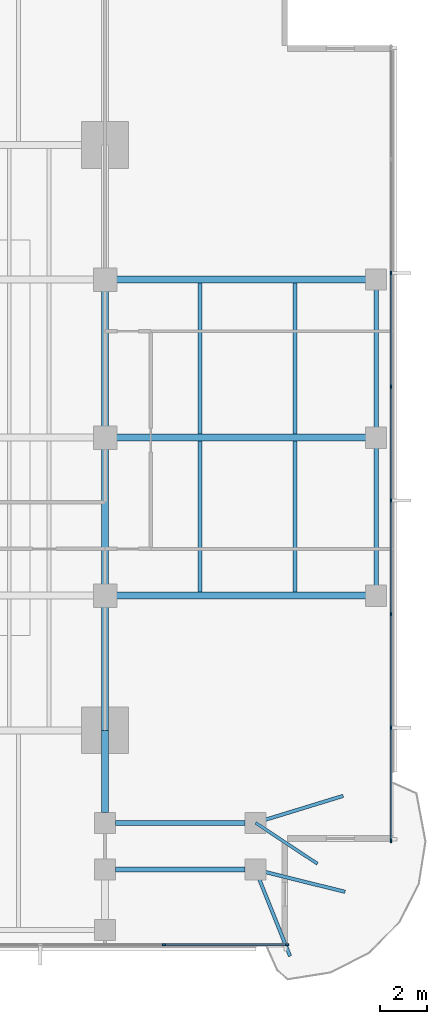
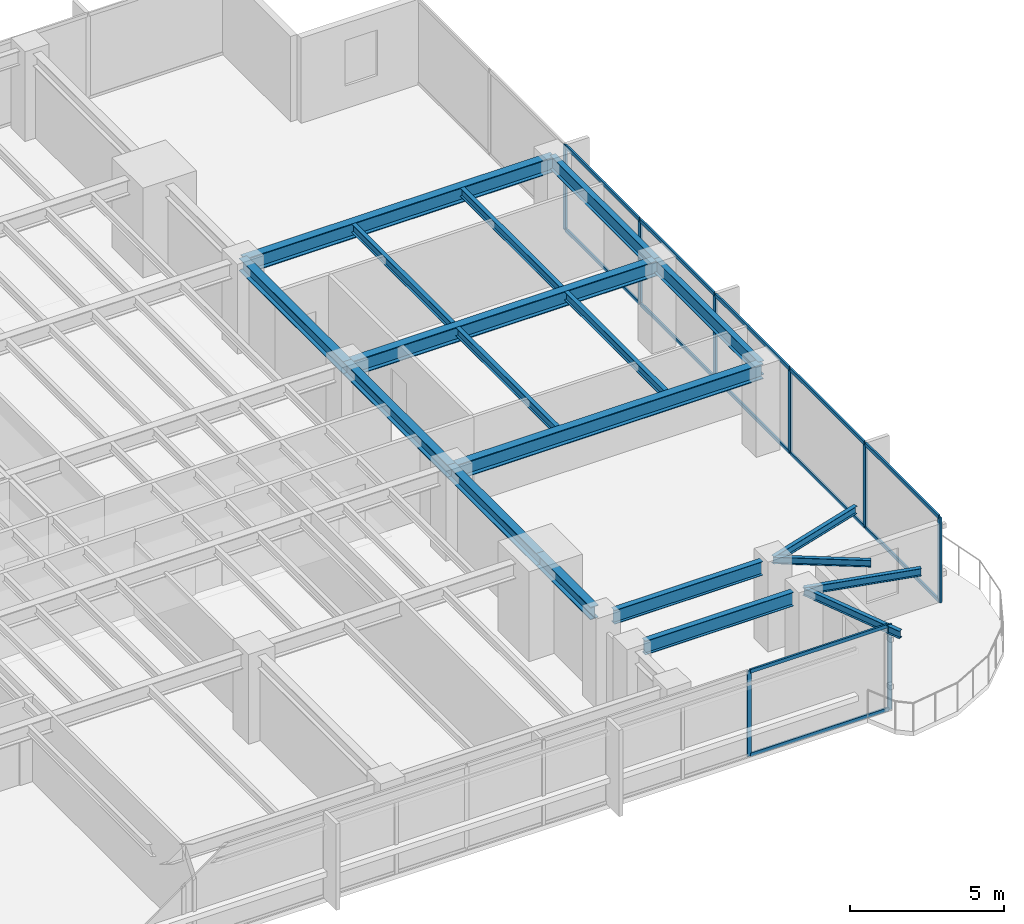
# One storey, part 4 of 15: 20 members, 19 beams, 2 elements without a shape of their own.
"""IFC4 building model written with IfcOpenShell, lengths in metres."""

from ifc_helpers import new_model, si_unit, direction, frame, origin, origin_2d, place, context, subcontext, project, spatial, rectangle, i_section, extrude, material, layer, layer_set, material_profile, profile_set, type_object, element, aggregate, save


model = new_model("IFC4")

# Units and contexts
model_context = context("Model", 3, precision=1e-05, world=origin(), true_north=direction((0.0, 1.0)))
body_context = subcontext(model_context, "Body", "Model", "MODEL_VIEW")
ifc_project = project(units=[si_unit("LENGTHUNIT", "METRE"), si_unit("AREAUNIT", "SQUARE_METRE"), si_unit("VOLUMEUNIT", "CUBIC_METRE"), si_unit("PLANEANGLEUNIT", "RADIAN"), si_unit("MASSUNIT", "GRAM", prefix="KILO")], contexts=[model_context])

# Site, building, storey
site_placement = place(None, origin())
site = spatial("IfcSite", under=ifc_project, at=site_placement, CompositionType="ELEMENT")
building_placement = place(site_placement, origin())
building = spatial("IfcBuilding", under=site, at=building_placement, Name="Kinhvarn Gate Tower", CompositionType="ELEMENT")
storey_placement = place(building_placement, frame((0.0, 0.0, 112.89990234375)))
storey = spatial("IfcBuildingStorey", under=building, at=storey_placement, Name="L29", CompositionType="ELEMENT", Elevation=112.89990234375)

# Curtain wall, members
ifc_material_1 = material(Name="Anodised aluminium AW-6063", Category="aluminium")
ifc_layer = layer(ifc_material_1, 0.179931640625)
ifc_layer_set = layer_set([ifc_layer], Name="Anodised aluminium AW-6063")
curtain_wall_type = type_object("IfcCurtainWallType", Name="CW-SYS-3", PredefinedType="NOTDEFINED", material=ifc_layer_set)
curtain_wall_1_placement = place(storey_placement, origin())
curtain_wall_1 = element("IfcCurtainWall", 1, at=curtain_wall_1_placement, inside=storey, type_object=curtain_wall_type, Name="Curtain Wall CW3 (L29)", PredefinedType="NOTDEFINED")
ifc_material_profile_1 = material_profile(ifc_material_1, rectangle(XDim=0.06494140625, YDim=0.159912109375, at=origin_2d()), Name="ALU 65x160")
ifc_profile_set_1 = profile_set([ifc_material_profile_1], Name="Anodised aluminium AW-6063")
member_type_1 = type_object("IfcMemberType", Name="CW-MUL-160", PredefinedType="MULLION", material=ifc_profile_set_1)
member_1_placement = place(storey_placement, frame((40.71435546875, 3.590087890625, 0.0), z_axis=(0.0, 0.0, 1.0), x_axis=(0.0, 1.0, 0.0)))
member_1 = element("IfcMember", 2, at=member_1_placement, type_object=member_type_1, Name="CW3 mullion 7", PredefinedType="MULLION", context=body_context, shape_type="SweptSolid", body=[
    extrude(rectangle(XDim=0.06494140625, YDim=0.159912109375, at=origin_2d()), origin(), (0.0, 0.0, 1.0), 3.3701171875),
])
member_2_placement = place(storey_placement, frame((45.967529296875, 3.590087890625, 0.0), z_axis=(0.0, 0.0, 1.0), x_axis=(0.0, 1.0, 0.0)))
member_2 = element("IfcMember", 3, at=member_2_placement, type_object=member_type_1, Name="CW3 mullion 8", PredefinedType="MULLION", context=body_context, shape_type="SweptSolid", body=[
    extrude(rectangle(XDim=0.06494140625, YDim=0.159912109375, at=origin_2d()), origin(), (0.0, 0.0, 1.0), 3.3701171875),
])

curtain_wall_2_placement = place(storey_placement, origin())
curtain_wall_2 = element("IfcCurtainWall", 4, at=curtain_wall_2_placement, inside=storey, type_object=curtain_wall_type, Name="Curtain Wall CW3 (L29)", PredefinedType="NOTDEFINED")
member_3_placement = place(storey_placement, frame((50.409912109375, 8.032470703125, 0.0), z_axis=(0.0, 0.0, 1.0), x_axis=(-1.0, 0.0, 0.0)))
member_3 = element("IfcMember", 5, at=member_3_placement, type_object=member_type_1, Name="CW3 mullion 1", PredefinedType="MULLION", context=body_context, shape_type="SweptSolid", body=[
    extrude(rectangle(XDim=0.06494140625, YDim=0.159912109375, at=origin_2d()), origin(), (0.0, 0.0, 1.0), 3.3701171875),
])
member_4_placement = place(storey_placement, frame((50.409912109375, 12.857177734375, 0.0), z_axis=(0.0, 0.0, 1.0), x_axis=(-1.0, 0.0, 0.0)))
member_4 = element("IfcMember", 6, at=member_4_placement, type_object=member_type_1, Name="CW3 mullion 2", PredefinedType="MULLION", context=body_context, shape_type="SweptSolid", body=[
    extrude(rectangle(XDim=0.06494140625, YDim=0.159912109375, at=origin_2d()), origin(), (0.0, 0.0, 1.0), 3.3701171875),
])
member_5_placement = place(storey_placement, frame((50.409912109375, 17.71435546875, 0.0), z_axis=(0.0, 0.0, 1.0), x_axis=(-1.0, 0.0, 0.0)))
member_5 = element("IfcMember", 7, at=member_5_placement, type_object=member_type_1, Name="CW3 mullion 3", PredefinedType="MULLION", context=body_context, shape_type="SweptSolid", body=[
    extrude(rectangle(XDim=0.06494140625, YDim=0.159912109375, at=origin_2d()), origin(), (0.0, 0.0, 1.0), 3.3701171875),
])
member_6_placement = place(storey_placement, frame((50.409912109375, 22.571533203125, 0.0), z_axis=(0.0, 0.0, 1.0), x_axis=(-1.0, 0.0, 0.0)))
member_6 = element("IfcMember", 8, at=member_6_placement, type_object=member_type_1, Name="CW3 mullion 4", PredefinedType="MULLION", context=body_context, shape_type="SweptSolid", body=[
    extrude(rectangle(XDim=0.06494140625, YDim=0.159912109375, at=origin_2d()), origin(), (0.0, 0.0, 1.0), 3.3701171875),
])
member_7_placement = place(storey_placement, frame((50.409912109375, 27.428466796875, 0.0), z_axis=(0.0, 0.0, 1.0), x_axis=(-1.0, 0.0, 0.0)))
member_7 = element("IfcMember", 9, at=member_7_placement, type_object=member_type_1, Name="CW3 mullion 5", PredefinedType="MULLION", context=body_context, shape_type="SweptSolid", body=[
    extrude(rectangle(XDim=0.06494140625, YDim=0.159912109375, at=origin_2d()), origin(), (0.0, 0.0, 1.0), 3.3701171875),
])
member_8_placement = place(storey_placement, frame((50.409912109375, 32.28564453125, 0.0), z_axis=(0.0, 0.0, 1.0), x_axis=(-1.0, 0.0, 0.0)))
member_8 = element("IfcMember", 10, at=member_8_placement, type_object=member_type_1, Name="CW3 mullion 6", PredefinedType="MULLION", context=body_context, shape_type="SweptSolid", body=[
    extrude(rectangle(XDim=0.06494140625, YDim=0.159912109375, at=origin_2d()), origin(), (0.0, 0.0, 1.0), 3.3701171875),
])

# Member
ifc_material_profile_2 = material_profile(ifc_material_1, rectangle(XDim=0.070068359375, YDim=0.139892578125, at=origin_2d()), Name="ALU 70x140")
ifc_profile_set_2 = profile_set([ifc_material_profile_2], Name="Anodised aluminium AW-6063")
member_type_2 = type_object("IfcMemberType", Name="CW-TRN-140", PredefinedType="USERDEFINED", material=ifc_profile_set_2)
member_9_placement = place(storey_placement, frame((40.746826171875, 3.590087890625, 0.03515625), z_axis=(1.0, 0.0, 0.0), x_axis=(0.0, 1.0, 0.0)))
member_9 = element("IfcMember", 11, at=member_9_placement, type_object=member_type_2, Name="CW3 transom 7.1", ObjectType="TRANSOM", PredefinedType="USERDEFINED", context=body_context, shape_type="SweptSolid", body=[
    extrude(rectangle(XDim=0.070068359375, YDim=0.139892578125, at=origin_2d()), origin(), (0.0, 0.0, 1.0), 5.188232421875),
])

member_10_placement = place(storey_placement, frame((40.746826171875, 3.590087890625, 3.335205078125), z_axis=(1.0, 0.0, 0.0), x_axis=(0.0, 1.0, 0.0)))
member_10 = element("IfcMember", 12, at=member_10_placement, type_object=member_type_2, Name="CW3 transom 7.2", ObjectType="TRANSOM", PredefinedType="USERDEFINED", context=body_context, shape_type="SweptSolid", body=[
    extrude(rectangle(XDim=0.070068359375, YDim=0.139892578125, at=origin_2d()), origin(), (0.0, 0.0, 1.0), 5.188232421875),
])

aggregate(curtain_wall_1, [member_1, member_2, member_9, member_10])

member_11_placement = place(storey_placement, frame((50.409912109375, 8.06494140625, 0.03515625), z_axis=(0.0, 1.0, 0.0), x_axis=(-1.0, 0.0, 0.0)))
member_11 = element("IfcMember", 13, at=member_11_placement, type_object=member_type_2, Name="CW3 transom 1.1", ObjectType="TRANSOM", PredefinedType="USERDEFINED", context=body_context, shape_type="SweptSolid", body=[
    extrude(rectangle(XDim=0.070068359375, YDim=0.139892578125, at=origin_2d()), origin(), (0.0, 0.0, 1.0), 4.759765625),
])

member_12_placement = place(storey_placement, frame((50.409912109375, 8.06494140625, 3.335205078125), z_axis=(0.0, 1.0, 0.0), x_axis=(-1.0, 0.0, 0.0)))
member_12 = element("IfcMember", 14, at=member_12_placement, type_object=member_type_2, Name="CW3 transom 1.2", ObjectType="TRANSOM", PredefinedType="USERDEFINED", context=body_context, shape_type="SweptSolid", body=[
    extrude(rectangle(XDim=0.070068359375, YDim=0.139892578125, at=origin_2d()), origin(), (0.0, 0.0, 1.0), 4.759765625),
])

member_13_placement = place(storey_placement, frame((50.409912109375, 12.8896484375, 0.03515625), z_axis=(0.0, 1.0, 0.0), x_axis=(-1.0, 0.0, 0.0)))
member_13 = element("IfcMember", 15, at=member_13_placement, type_object=member_type_2, Name="CW3 transom 2.1", ObjectType="TRANSOM", PredefinedType="USERDEFINED", context=body_context, shape_type="SweptSolid", body=[
    extrude(rectangle(XDim=0.070068359375, YDim=0.139892578125, at=origin_2d()), origin(), (0.0, 0.0, 1.0), 4.792236328125),
])

member_14_placement = place(storey_placement, frame((50.409912109375, 12.8896484375, 3.335205078125), z_axis=(0.0, 1.0, 0.0), x_axis=(-1.0, 0.0, 0.0)))
member_14 = element("IfcMember", 16, at=member_14_placement, type_object=member_type_2, Name="CW3 transom 2.2", ObjectType="TRANSOM", PredefinedType="USERDEFINED", context=body_context, shape_type="SweptSolid", body=[
    extrude(rectangle(XDim=0.070068359375, YDim=0.139892578125, at=origin_2d()), origin(), (0.0, 0.0, 1.0), 4.792236328125),
])

member_15_placement = place(storey_placement, frame((50.409912109375, 17.746826171875, 0.03515625), z_axis=(0.0, 1.0, 0.0), x_axis=(-1.0, 0.0, 0.0)))
member_15 = element("IfcMember", 17, at=member_15_placement, type_object=member_type_2, Name="CW3 transom 3.1", ObjectType="TRANSOM", PredefinedType="USERDEFINED", context=body_context, shape_type="SweptSolid", body=[
    extrude(rectangle(XDim=0.070068359375, YDim=0.139892578125, at=origin_2d()), origin(), (0.0, 0.0, 1.0), 4.7919921875),
])

member_16_placement = place(storey_placement, frame((50.409912109375, 17.746826171875, 3.335205078125), z_axis=(0.0, 1.0, 0.0), x_axis=(-1.0, 0.0, 0.0)))
member_16 = element("IfcMember", 18, at=member_16_placement, type_object=member_type_2, Name="CW3 transom 3.2", ObjectType="TRANSOM", PredefinedType="USERDEFINED", context=body_context, shape_type="SweptSolid", body=[
    extrude(rectangle(XDim=0.070068359375, YDim=0.139892578125, at=origin_2d()), origin(), (0.0, 0.0, 1.0), 4.7919921875),
])

member_17_placement = place(storey_placement, frame((50.409912109375, 22.60400390625, 0.03515625), z_axis=(0.0, 1.0, 0.0), x_axis=(-1.0, 0.0, 0.0)))
member_17 = element("IfcMember", 19, at=member_17_placement, type_object=member_type_2, Name="CW3 transom 4.1", ObjectType="TRANSOM", PredefinedType="USERDEFINED", context=body_context, shape_type="SweptSolid", body=[
    extrude(rectangle(XDim=0.070068359375, YDim=0.139892578125, at=origin_2d()), origin(), (0.0, 0.0, 1.0), 4.7919921875),
])

member_18_placement = place(storey_placement, frame((50.409912109375, 22.60400390625, 3.335205078125), z_axis=(0.0, 1.0, 0.0), x_axis=(-1.0, 0.0, 0.0)))
member_18 = element("IfcMember", 20, at=member_18_placement, type_object=member_type_2, Name="CW3 transom 4.2", ObjectType="TRANSOM", PredefinedType="USERDEFINED", context=body_context, shape_type="SweptSolid", body=[
    extrude(rectangle(XDim=0.070068359375, YDim=0.139892578125, at=origin_2d()), origin(), (0.0, 0.0, 1.0), 4.7919921875),
])

member_19_placement = place(storey_placement, frame((50.409912109375, 27.461181640625, 0.03515625), z_axis=(0.0, 1.0, 0.0), x_axis=(-1.0, 0.0, 0.0)))
member_19 = element("IfcMember", 21, at=member_19_placement, type_object=member_type_2, Name="CW3 transom 5.1", ObjectType="TRANSOM", PredefinedType="USERDEFINED", context=body_context, shape_type="SweptSolid", body=[
    extrude(rectangle(XDim=0.070068359375, YDim=0.139892578125, at=origin_2d()), origin(), (0.0, 0.0, 1.0), 4.7919921875),
])

member_20_placement = place(storey_placement, frame((50.409912109375, 27.461181640625, 3.335205078125), z_axis=(0.0, 1.0, 0.0), x_axis=(-1.0, 0.0, 0.0)))
member_20 = element("IfcMember", 22, at=member_20_placement, type_object=member_type_2, Name="CW3 transom 5.2", ObjectType="TRANSOM", PredefinedType="USERDEFINED", context=body_context, shape_type="SweptSolid", body=[
    extrude(rectangle(XDim=0.070068359375, YDim=0.139892578125, at=origin_2d()), origin(), (0.0, 0.0, 1.0), 4.7919921875),
])

aggregate(curtain_wall_2, [member_3, member_4, member_5, member_6, member_7, member_8, member_11, member_12, member_13, member_14, member_15, member_16, member_17, member_18, member_19, member_20])

# Beams
ifc_material_2 = material(Name="Steel S355", Category="steel")
ifc_material_profile_3 = material_profile(ifc_material_2, i_section(OverallWidth=0.300048828125, OverallDepth=0.5, WebThickness=0.014404296875, FlangeThickness=0.028076171875, at=origin_2d()), Name="HEB 500")
ifc_profile_set_3 = profile_set([ifc_material_profile_3], Name="Steel S355")
beam_type_1 = type_object("IfcBeamType", Name="STL-HEB500", PredefinedType="BEAM", material=ifc_profile_set_3)
beam_1_placement = place(storey_placement, frame((38.199951171875, 9.235107421875, 3.1201171875), z_axis=(0.0, 1.0, 0.0), x_axis=(-1.0, 0.0, 0.0)))
element("IfcBeam", 23, at=beam_1_placement, inside=storey, type_object=beam_type_1, Name="Floor Beam PG-14 (L29 MCE-S-A2)", PredefinedType="BEAM", context=body_context, shape_type="SweptSolid", body=[
    extrude(i_section(OverallWidth=0.300048828125, OverallDepth=0.5, WebThickness=0.014404296875, FlangeThickness=0.028076171875, at=origin_2d()), origin(), (0.0, 0.0, 1.0), 3.514892578125),
])
beam_2_placement = place(storey_placement, frame((38.199951171875, 12.75, 3.1201171875), z_axis=(0.0, 1.0, 0.0), x_axis=(-1.0, 0.0, 0.0)))
element("IfcBeam", 24, at=beam_2_placement, inside=storey, type_object=beam_type_1, Name="Floor Beam PG-14 (L29 MG-E-12)", PredefinedType="BEAM", context=body_context, shape_type="SweptSolid", body=[
    extrude(i_section(OverallWidth=0.300048828125, OverallDepth=0.5, WebThickness=0.014404296875, FlangeThickness=0.028076171875, at=origin_2d()), origin(), (0.0, 0.0, 1.0), 5.75),
])
for number, where, z_axis, x_axis, name in (
    (25, (38.199951171875, 18.5, 3.1201171875), (0.0, 1.0, 0.0), (-1.0, 0.0, 0.0), "Floor Beam PG-14 (L29 MG-E-18)"),
    (26, (38.199951171875, 25.25, 3.1201171875), (0.0, 1.0, 0.0), (-1.0, 0.0, 0.0), "Floor Beam PG-14 (L29 MG-E-25)"),
):
    element("IfcBeam", number, at=place(storey_placement, frame(where, z_axis=z_axis, x_axis=x_axis)), inside=storey, type_object=beam_type_1, Name=name, PredefinedType="BEAM", context=body_context, shape_type="SweptSolid", body=[
        extrude(i_section(OverallWidth=0.300048828125, OverallDepth=0.5, WebThickness=0.014404296875, FlangeThickness=0.028076171875, at=origin_2d()), origin(), (0.0, 0.0, 1.0), 6.75),
    ])
ifc_material_profile_4 = material_profile(ifc_material_2, i_section(OverallWidth=0.300048828125, OverallDepth=0.60009765625, WebThickness=0.015380859375, FlangeThickness=0.030029296875, at=origin_2d()), Name="HEB 600")
ifc_profile_set_4 = profile_set([ifc_material_profile_4], Name="Steel S355")
beam_type_2 = type_object("IfcBeamType", Name="STL-HEB600", PredefinedType="BEAM", material=ifc_profile_set_4)
for number, where, z_axis, x_axis, name in (
    (27, (38.199951171875, 18.5, 3.070068359375), (1.0, 0.0, 0.0), (0.0, 1.0, 0.0), "Floor Beam PG-16 (L29 EW2-Y18)"),
    (28, (38.199951171875, 25.25, 3.070068359375), (1.0, 0.0, 0.0), (0.0, 1.0, 0.0), "Floor Beam PG-16 (L29 EW2-Y25)"),
    (29, (38.199951171875, 32.0, 3.070068359375), (1.0, 0.0, 0.0), (0.0, 1.0, 0.0), "Floor Beam PG-16 (L29 EW2-Y32)"),
):
    element("IfcBeam", number, at=place(storey_placement, frame(where, z_axis=z_axis, x_axis=x_axis)), inside=storey, type_object=beam_type_2, Name=name, PredefinedType="BEAM", context=body_context, shape_type="SweptSolid", body=[
        extrude(i_section(OverallWidth=0.300048828125, OverallDepth=0.60009765625, WebThickness=0.015380859375, FlangeThickness=0.030029296875, at=origin_2d()), origin(), (0.0, 0.0, 1.0), 11.580078125),
    ])
ifc_material_profile_5 = material_profile(ifc_material_2, i_section(OverallWidth=0.135009765625, OverallDepth=0.27001953125, WebThickness=0.006591796875, FlangeThickness=0.01025390625, at=origin_2d()), Name="IPE 270")
ifc_profile_set_5 = profile_set([ifc_material_profile_5], Name="Steel S355")
beam_type_3 = type_object("IfcBeamType", Name="STL-IPE270", PredefinedType="JOIST", material=ifc_profile_set_5)
beam_3_placement = place(storey_placement, frame((44.6201171875, 8.800048828125, 3.235107421875), z_axis=(0.834455271211, -0.5510756757, 0.0), x_axis=(0.5510756757, 0.834455271211, 0.0)))
element("IfcBeam", 30, at=beam_3_placement, inside=storey, type_object=beam_type_3, Name="Floor Joist SB-01 (L29 BAL-B3-L30)", PredefinedType="JOIST", context=body_context, shape_type="SweptSolid", body=[
    extrude(i_section(OverallWidth=0.135009765625, OverallDepth=0.27001953125, WebThickness=0.006591796875, FlangeThickness=0.01025390625, at=origin_2d()), origin(), (0.0, 0.0, 1.0), 3.175537109375),
])
ifc_material_profile_6 = material_profile(ifc_material_2, i_section(OverallWidth=0.14990234375, OverallDepth=0.300048828125, WebThickness=0.007080078125, FlangeThickness=0.0107421875, at=origin_2d()), Name="IPE 300")
ifc_profile_set_6 = profile_set([ifc_material_profile_6], Name="Steel S355")
beam_type_4 = type_object("IfcBeamType", Name="STL-IPE300", PredefinedType="JOIST", material=ifc_profile_set_6)
beam_4_placement = place(storey_placement, frame((44.6201171875, 6.800048828125, 3.22021484375), z_axis=(0.97058851083, -0.240744558911, 0.0), x_axis=(0.240744558911, 0.97058851083, 0.0)))
element("IfcBeam", 31, at=beam_4_placement, inside=storey, type_object=beam_type_4, Name="Floor Joist SB-02 (L29 BAL-B1-L30)", PredefinedType="JOIST", context=body_context, shape_type="SweptSolid", body=[
    extrude(i_section(OverallWidth=0.14990234375, OverallDepth=0.300048828125, WebThickness=0.007080078125, FlangeThickness=0.0107421875, at=origin_2d()), origin(), (0.0, 0.0, 1.0), 3.94580078125),
])
beam_5_placement = place(storey_placement, frame((44.6201171875, 6.800048828125, 3.22021484375), z_axis=(0.371390676354, -0.928476690885, 0.0), x_axis=(0.928476690885, 0.371390676354, 0.0)))
element("IfcBeam", 32, at=beam_5_placement, inside=storey, type_object=beam_type_4, Name="Floor Joist SB-02 (L29 BAL-B2-L30)", PredefinedType="JOIST", context=body_context, shape_type="SweptSolid", body=[
    extrude(i_section(OverallWidth=0.14990234375, OverallDepth=0.300048828125, WebThickness=0.007080078125, FlangeThickness=0.0107421875, at=origin_2d()), origin(), (0.0, 0.0, 1.0), 3.98486328125),
])
beam_6_placement = place(storey_placement, frame((44.6201171875, 8.800048828125, 3.22021484375), z_axis=(0.95606118681, 0.293167199862, 0.0), x_axis=(-0.293167199862, 0.95606118681, 0.0)))
element("IfcBeam", 33, at=beam_6_placement, inside=storey, type_object=beam_type_4, Name="Floor Joist SB-02 (L29 BAL-B5-L30)", PredefinedType="JOIST", context=body_context, shape_type="SweptSolid", body=[
    extrude(i_section(OverallWidth=0.14990234375, OverallDepth=0.300048828125, WebThickness=0.007080078125, FlangeThickness=0.0107421875, at=origin_2d()), origin(), (0.0, 0.0, 1.0), 3.92236328125),
])
ifc_material_profile_7 = material_profile(ifc_material_2, i_section(OverallWidth=0.159912109375, OverallDepth=0.330078125, WebThickness=0.007568359375, FlangeThickness=0.011474609375, at=origin_2d()), Name="IPE 330")
ifc_profile_set_7 = profile_set([ifc_material_profile_7], Name="Steel S355")
beam_type_5 = type_object("IfcBeamType", Name="STL-IPE330", PredefinedType="JOIST", material=ifc_profile_set_7)
for number, where, z_axis, x_axis, name in (
    (34, (42.25, 18.64990234375, 3.205078125), (0.0, 1.0, 0.0), (-1.0, 0.0, 0.0), "Floor Joist SB-03 (L29 JC-X422-1)"),
    (35, (42.25, 25.39990234375, 3.205078125), (0.0, 1.0, 0.0), (-1.0, 0.0, 0.0), "Floor Joist SB-03 (L29 JC-X422-2)"),
    (36, (46.31005859375, 18.64990234375, 3.205078125), (0.0, 1.0, 0.0), (-1.0, 0.0, 0.0), "Floor Joist SB-03 (L29 JC-X463-1)"),
    (37, (46.31005859375, 25.39990234375, 3.205078125), (0.0, 1.0, 0.0), (-1.0, 0.0, 0.0), "Floor Joist SB-03 (L29 JC-X463-2)"),
):
    element("IfcBeam", number, at=place(storey_placement, frame(where, z_axis=z_axis, x_axis=x_axis)), inside=storey, type_object=beam_type_5, Name=name, PredefinedType="JOIST", context=body_context, shape_type="SweptSolid", body=[
        extrude(i_section(OverallWidth=0.159912109375, OverallDepth=0.330078125, WebThickness=0.007568359375, FlangeThickness=0.011474609375, at=origin_2d()), origin(), (0.0, 0.0, 1.0), 6.4501953125),
    ])
ifc_material_profile_8 = material_profile(ifc_material_2, i_section(OverallWidth=0.2099609375, OverallDepth=0.550048828125, WebThickness=0.010986328125, FlangeThickness=0.01708984375, at=origin_2d()), Name="IPE 550")
ifc_profile_set_8 = profile_set([ifc_material_profile_8], Name="Steel S355")
beam_type_6 = type_object("IfcBeamType", Name="STL-IPE550", PredefinedType="SPANDREL", material=ifc_profile_set_8)
for number, where, z_axis, x_axis, name in (
    (38, (38.635009765625, 8.800048828125, 3.09521484375), (1.0, 0.0, 0.0), (0.0, 1.0, 0.0), "Floor Spandrel SB-08 (L29 SP-SE2)"),
    (39, (38.635009765625, 6.800048828125, 3.09521484375), (1.0, 0.0, 0.0), (0.0, 1.0, 0.0), "Floor Spandrel SB-08 (L29 SP-SE2-S)"),
):
    element("IfcBeam", number, at=place(storey_placement, frame(where, z_axis=z_axis, x_axis=x_axis)), inside=storey, type_object=beam_type_6, Name=name, PredefinedType="SPANDREL", context=body_context, shape_type="SweptSolid", body=[
        extrude(i_section(OverallWidth=0.2099609375, OverallDepth=0.550048828125, WebThickness=0.010986328125, FlangeThickness=0.01708984375, at=origin_2d()), origin(), (0.0, 0.0, 1.0), 5.550048828125),
    ])
for number, where, z_axis, x_axis, name in (
    (40, (49.780029296875, 18.5, 3.09521484375), (0.0, 1.0, 0.0), (-1.0, 0.0, 0.0), "Floor Spandrel SB-08 (L29 SP-E2)"),
    (41, (49.780029296875, 25.25, 3.09521484375), (0.0, 1.0, 0.0), (-1.0, 0.0, 0.0), "Floor Spandrel SB-08 (L29 SP-E3)"),
):
    element("IfcBeam", number, at=place(storey_placement, frame(where, z_axis=z_axis, x_axis=x_axis)), inside=storey, type_object=beam_type_6, Name=name, PredefinedType="SPANDREL", context=body_context, shape_type="SweptSolid", body=[
        extrude(i_section(OverallWidth=0.2099609375, OverallDepth=0.550048828125, WebThickness=0.010986328125, FlangeThickness=0.01708984375, at=origin_2d()), origin(), (0.0, 0.0, 1.0), 6.75),
    ])

save(model, "model.ifc")
